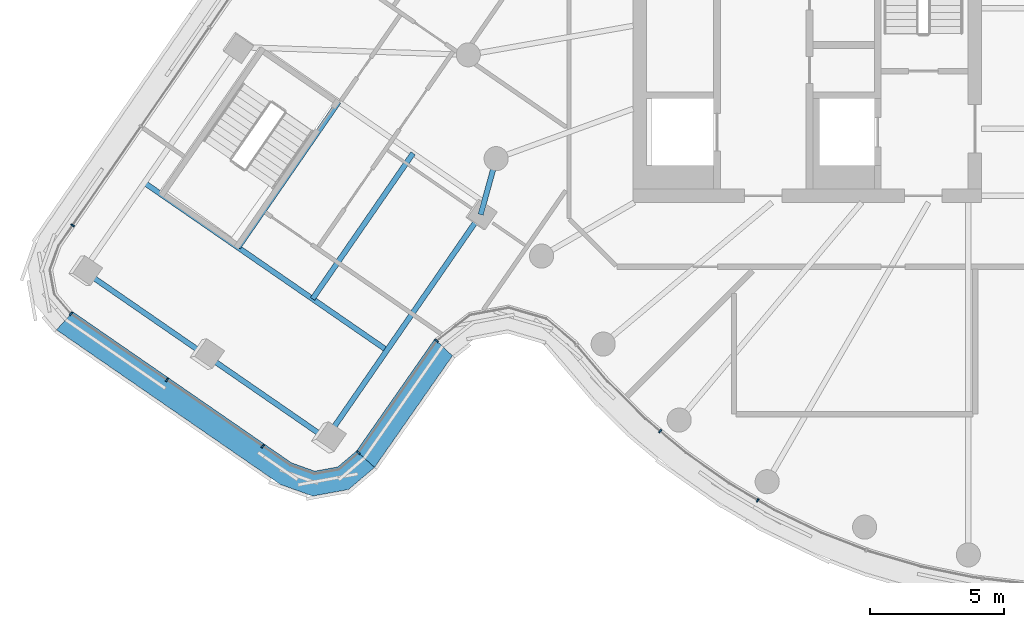
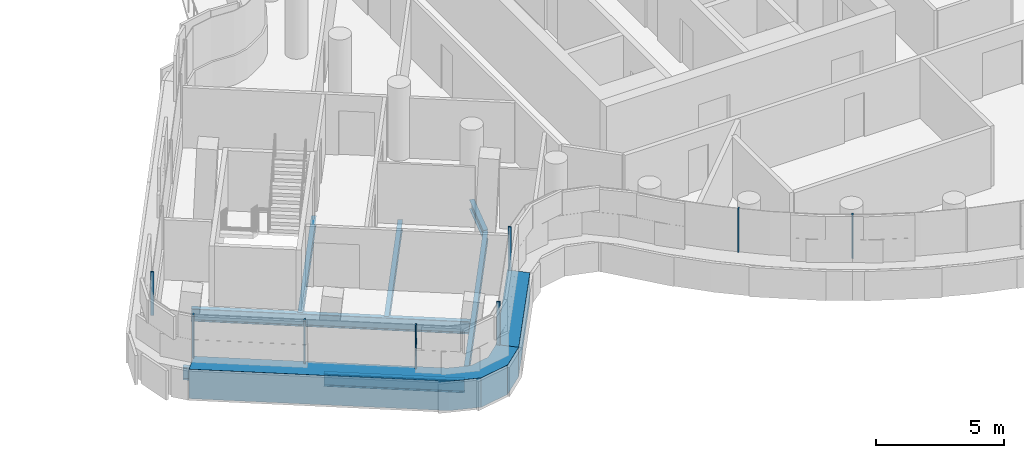
# One storey, part 2 of 26: 10 members, 7 beams, 4 elements without a shape of their own.
"""IFC4 building model written with IfcOpenShell, lengths in metres."""

import ifcopenshell
import ifcopenshell.guid

model = None  # the IFC model being written
_history = None  # IfcOwnerHistory: only IFC2X3 demands one
_inside = {}  # id of a spatial element -> (the spatial element, [elements in it])
_under = {}  # id of a project, library or spatial element -> (it, [spatial elements below it])
_declared = {}  # id of a project -> (the project, [libraries it declares])
_typed = {}  # id of a type object -> (the type object, [elements of that type])
_made_of = {}  # id of a material, layer set ... -> (it, [elements and type objects made of it])


def new_model(schema):
    """Start an empty IFC model of exactly this schema.

    Asked for "IFC4X3", IfcOpenShell would pick the latest addendum, in which some entities
    have other attributes; the version numbers below select the first issue.
    IFC2X3 requires an IfcOwnerHistory on every rooted entity: one is made here for all.
    """
    global model, _history
    if schema == "IFC4X3":
        model = ifcopenshell.file(schema_version=(4, 3, 0, 0))
    else:
        model = ifcopenshell.file(schema=schema)
    _inside.clear()
    _under.clear()
    _declared.clear()
    _typed.clear()
    _made_of.clear()
    _history = None
    if model.schema == "IFC2X3":
        org = make("IfcOrganization", Name="unknown")
        user = make(
            "IfcPersonAndOrganization",
            ThePerson=make("IfcPerson", FamilyName="unknown"),
            TheOrganization=org,
        )
        app = make(
            "IfcApplication",
            ApplicationDeveloper=org,
            Version="unknown",
            ApplicationFullName="unknown",
            ApplicationIdentifier="unknown",
        )
        _history = make(
            "IfcOwnerHistory",
            OwningUser=user,
            OwningApplication=app,
            ChangeAction="ADDED",
            CreationDate=0,
        )
    return model


def make(cls, **values):
    """One entity of the class cls with the attributes given. An attribute that is None is left unset."""
    return model.create_entity(
        cls, **{name: value for name, value in values.items() if value is not None}
    )


def rooted(cls, **values):
    """An entity with a GlobalId (a new one), such as an element, a storey or a relation."""
    return make(cls, GlobalId=ifcopenshell.guid.new(), OwnerHistory=_history, **values)


def si_unit(unit_type, name, prefix=None):
    """IfcSIUnit, for example si_unit("LENGTHUNIT", "METRE", prefix="MILLI")."""
    return make("IfcSIUnit", UnitType=unit_type, Prefix=prefix, Name=name)


def assignment(units):
    """IfcUnitAssignment: the units of a project."""
    return None if units is None else make("IfcUnitAssignment", Units=units)


def point(xyz):
    """IfcCartesianPoint."""
    return None if xyz is None else make("IfcCartesianPoint", Coordinates=xyz)


def direction(xyz):
    """IfcDirection."""
    return None if xyz is None else make("IfcDirection", DirectionRatios=xyz)


def frame(location, z_axis=None, x_axis=None):
    """IfcAxis2Placement3D, a coordinate frame: its origin and axes. An axis left out is left unset."""
    return make(
        "IfcAxis2Placement3D",
        Location=point(location),
        Axis=direction(z_axis),
        RefDirection=direction(x_axis),
    )


def frame_2d(location, x_axis=None):
    """IfcAxis2Placement2D, a coordinate frame in the plane: its origin and x axis."""
    return make(
        "IfcAxis2Placement2D", Location=point(location), RefDirection=direction(x_axis)
    )


def origin():
    """The frame at (0, 0, 0) with its axes left unset."""
    return frame((0.0, 0.0, 0.0))


def origin_2d():
    """The frame at (0, 0) in the plane with its x axis left unset."""
    return frame_2d((0.0, 0.0))


def place(relative_to, where):
    """IfcLocalPlacement: puts the frame where relative to a parent placement (None: the world)."""
    return make(
        "IfcLocalPlacement", PlacementRelTo=relative_to, RelativePlacement=where
    )


def context(
    kind, dimensions, precision=None, world=None, true_north=None, identifier=None
):
    """IfcGeometricRepresentationContext, for example the 3D "Model" context."""
    return make(
        "IfcGeometricRepresentationContext",
        ContextIdentifier=identifier,
        ContextType=kind,
        CoordinateSpaceDimension=dimensions,
        Precision=precision,
        WorldCoordinateSystem=world,
        TrueNorth=true_north,
    )


def subcontext(parent, identifier, kind, view, scale=None):
    """IfcGeometricRepresentationSubContext, for example "Body" below "Model"."""
    return make(
        "IfcGeometricRepresentationSubContext",
        ContextIdentifier=identifier,
        ContextType=kind,
        ParentContext=parent,
        TargetScale=scale,
        TargetView=view,
    )


def project(units=None, contexts=None):
    """IfcProject with its units and contexts."""
    return rooted(
        "IfcProject",
        Name="project",
        RepresentationContexts=contexts,
        UnitsInContext=assignment(units),
    )


def spatial(cls, under=None, at=None, **own):
    """A site, building, storey or space (cls), placed at a placement, below another one or the project."""
    s = rooted(cls, ObjectPlacement=at, **own)
    if under is not None:
        _under.setdefault(under.id(), (under, []))[1].append(s)
    return s


def polyline(points):
    """IfcPolyline through the points."""
    return make("IfcPolyline", Points=[point(p) for p in points])


def profile(cls, at=None, kind="AREA", **sizes):
    """A parametric profile (cls). Its sizes go by their IFC names, for example OverallWidth=200.0."""
    return make(cls, ProfileType=kind, Position=at, **sizes)


def rectangle(**sizes):
    """IfcRectangleProfileDef."""
    return profile("IfcRectangleProfileDef", **sizes)


def i_section(**sizes):
    """IfcIShapeProfileDef."""
    return profile("IfcIShapeProfileDef", **sizes)


def outline(outer, holes=None, kind="AREA"):
    """IfcArbitraryClosedProfileDef: a profile drawn as a closed curve; with holes, ...WithVoids."""
    if holes is None:
        return make("IfcArbitraryClosedProfileDef", ProfileType=kind, OuterCurve=outer)
    return make(
        "IfcArbitraryProfileDefWithVoids",
        ProfileType=kind,
        OuterCurve=outer,
        InnerCurves=holes,
    )


def extrude(swept, where, along, depth):
    """IfcExtrudedAreaSolid: the profile swept, set in the frame where, extruded along a direction by depth."""
    return make(
        "IfcExtrudedAreaSolid",
        SweptArea=swept,
        Position=where,
        ExtrudedDirection=direction(along),
        Depth=depth,
    )


def shape(context_of_items, identifier, shape_type, items):
    """IfcShapeRepresentation: the items that make up one representation, for example the "Body"."""
    return make(
        "IfcShapeRepresentation",
        ContextOfItems=context_of_items,
        RepresentationIdentifier=identifier,
        RepresentationType=shape_type,
        Items=items,
    )


def material(Name=None, Category=None):
    """IfcMaterial."""
    return make("IfcMaterial", Name=Name, Category=Category)


def layer(
    of_material, thickness, ventilated=None, Name=None, Category=None, Priority=None
):
    """IfcMaterialLayer: one layer of a wall or slab, of a material (None: an air gap)."""
    return make(
        "IfcMaterialLayer",
        Material=of_material,
        LayerThickness=thickness,
        IsVentilated=ventilated,
        Name=Name,
        Category=Category,
        Priority=Priority,
    )


def layer_set(layers, Name=None):
    """IfcMaterialLayerSet."""
    return make("IfcMaterialLayerSet", MaterialLayers=layers, LayerSetName=Name)


def material_profile(
    of_material, cross_section, Name=None, Category=None, Priority=None
):
    """IfcMaterialProfile: a cross section and its material."""
    return make(
        "IfcMaterialProfile",
        Name=Name,
        Material=of_material,
        Profile=cross_section,
        Priority=Priority,
        Category=Category,
    )


def profile_set(profiles, Name=None, composite=None):
    """IfcMaterialProfileSet."""
    return make(
        "IfcMaterialProfileSet",
        Name=Name,
        MaterialProfiles=profiles,
        CompositeProfile=composite,
    )


def made_of(thing, what):
    """Note that an element or type object is made of a material, layer set ...; save() writes the relation."""
    if what is not None:
        _made_of.setdefault(what.id(), (what, []))[1].append(thing)
    return thing


def type_object(cls, material=None, **own):
    """A type object (cls), such as IfcWallType, which elements share."""
    return made_of(rooted(cls, **own), material)


def element(
    cls,
    number,
    at=None,
    inside=None,
    cuts=None,
    type_object=None,
    material=None,
    context=None,
    identifier="Body",
    shape_type=None,
    held_by="IfcProductDefinitionShape",
    body=None,
    shapes=None,
    **own,
):
    """One element of the class cls, such as IfcWall. Its Tag is "e" and its number.

    at: its placement. inside: the storey or other place that contains it. cuts: it is an
    opening in that element (IfcRelVoidsElement). A single representation is given by context,
    identifier, shape_type and body (its items); several are given by shapes. held_by: the class
    of the entity that holds the representations. save() writes the other relations.
    """
    e = rooted(cls, Tag="e%d" % number, ObjectPlacement=at, **own)
    if body is not None:
        shapes = [shape(context, identifier, shape_type, body)]
    if shapes is not None:
        e.Representation = make(held_by, Representations=shapes)
    if inside is not None:
        _inside.setdefault(inside.id(), (inside, []))[1].append(e)
    if cuts is not None:
        rooted(
            "IfcRelVoidsElement", RelatingBuildingElement=cuts, RelatedOpeningElement=e
        )
    if type_object is not None:
        _typed.setdefault(type_object.id(), (type_object, []))[1].append(e)
    return made_of(e, material)


def aggregate(whole, parts):
    """IfcRelAggregates: a whole, such as a stair, and the parts it consists of."""
    return rooted("IfcRelAggregates", RelatingObject=whole, RelatedObjects=parts)


def save(model, path):
    """Write the relations noted so far, then the file.

    IfcRelAggregates (storeys below a building ...), IfcRelContainedInSpatialStructure (elements
    in a storey), IfcRelDefinesByType, IfcRelAssociatesMaterial and IfcRelDeclares: one each for
    every whole, place, type object, material and project.
    """
    for whole, parts in _under.values():
        aggregate(whole, parts)
    for where, things in _inside.values():
        rooted(
            "IfcRelContainedInSpatialStructure",
            RelatedElements=things,
            RelatingStructure=where,
        )
    for kind, things in _typed.values():
        rooted("IfcRelDefinesByType", RelatedObjects=things, RelatingType=kind)
    for what, things in _made_of.values():
        rooted("IfcRelAssociatesMaterial", RelatedObjects=things, RelatingMaterial=what)
    for by, libraries in _declared.values():
        rooted("IfcRelDeclares", RelatingContext=by, RelatedDefinitions=libraries)
    model.write(path)


model = new_model("IFC4")

# Units and contexts
model_context = context("Model", 3, precision=1e-05, world=origin(), true_north=direction((0.0, 1.0)))
body_context = subcontext(model_context, "Body", "Model", "MODEL_VIEW")
ifc_project = project(units=[si_unit("LENGTHUNIT", "METRE"), si_unit("AREAUNIT", "SQUARE_METRE"), si_unit("VOLUMEUNIT", "CUBIC_METRE"), si_unit("PLANEANGLEUNIT", "RADIAN"), si_unit("MASSUNIT", "GRAM", prefix="KILO")], contexts=[model_context])

# Site, building, storey
site_placement = place(None, origin())
site = spatial("IfcSite", under=ifc_project, at=site_placement, CompositionType="ELEMENT")
building_placement = place(site_placement, origin())
building = spatial("IfcBuilding", under=site, at=building_placement, Name="Tamarind Cross Interchange Tower", CompositionType="ELEMENT")
storey_placement = place(building_placement, frame((0.0, 0.0, 234.300048828125)))
storey = spatial("IfcBuildingStorey", under=building, at=storey_placement, Name="L59", CompositionType="ELEMENT", Elevation=234.300048828125)

# Beams
ifc_material_1 = material(Name="Steel Q355B", Category="steel")
ifc_material_profile_1 = material_profile(ifc_material_1, i_section(OverallWidth=0.198974609375, OverallDepth=0.446044921875, WebThickness=0.008056640625, FlangeThickness=0.011962890625, FilletRadius=0.012939453125, at=origin_2d()), Name="HN 446x199x8x12")
ifc_profile_set_1 = profile_set([ifc_material_profile_1], Name="Steel Q355B")
beam_type_1 = type_object("IfcBeamType", Name="Composite beam HN 446x199x8x12 Q355B", PredefinedType="BEAM", material=ifc_profile_set_1)
beam_1_placement = place(storey_placement, frame((-27.9541015625, -18.302001953125, -0.363037109375), z_axis=(0.568228357268, 0.82287090968, 0.0), x_axis=(-0.82287090968, 0.568228357268, 0.0)))
element("IfcBeam", 1, at=beam_1_placement, inside=storey, type_object=beam_type_1, Name="Beam W-edgeep2", PredefinedType="BEAM", context=body_context, shape_type="SweptSolid", body=[
    extrude(i_section(OverallWidth=0.198974609375, OverallDepth=0.446044921875, WebThickness=0.008056640625, FlangeThickness=0.011962890625, FilletRadius=0.012939453125, at=origin_2d()), origin(), (0.0, 0.0, 1.0), 10.1435546875),
])
beam_2_placement = place(storey_placement, frame((-22.190185546875, -9.955078125, -0.363037109375), z_axis=(0.266347775283, 0.963876995577, 0.0), x_axis=(-0.963876995577, 0.266347775283, 0.0)))
element("IfcBeam", 2, at=beam_2_placement, inside=storey, type_object=beam_type_1, Name="Beam W-linkep", PredefinedType="BEAM", context=body_context, shape_type="SweptSolid", body=[
    extrude(i_section(OverallWidth=0.198974609375, OverallDepth=0.446044921875, WebThickness=0.008056640625, FlangeThickness=0.011962890625, FilletRadius=0.012939453125, at=origin_2d()), origin(), (0.0, 0.0, 1.0), 2.1669921875),
])
for number, where, z_axis, x_axis, name in (
    (3, (-27.489013671875, -5.749267578125, -0.363037109375), (-0.568207415833, -0.822885370263, 0.0), (0.822885370263, -0.568207415833, 0.0), "Beam W-tr1"),
    (4, (-24.7119140625, -7.6669921875, -0.363037109375), (-0.568182367444, -0.822902665766, 0.0), (0.822902665766, -0.568182367444, 0.0), "Beam W-stripp"),
):
    element("IfcBeam", number, at=place(storey_placement, frame(where, z_axis=z_axis, x_axis=x_axis)), inside=storey, type_object=beam_type_1, Name=name, PredefinedType="BEAM", context=body_context, shape_type="SweptSolid", body=[
        extrude(i_section(OverallWidth=0.198974609375, OverallDepth=0.446044921875, WebThickness=0.008056640625, FlangeThickness=0.011962890625, FilletRadius=0.012939453125, at=origin_2d()), origin(), (0.0, 0.0, 1.0), 6.60009765625),
    ])
ifc_material_profile_2 = material_profile(ifc_material_1, i_section(OverallWidth=0.198974609375, OverallDepth=0.595947265625, WebThickness=0.010009765625, FlangeThickness=0.014892578125, FilletRadius=0.012939453125, at=origin_2d()), Name="HN 596x199x10x15")
ifc_profile_set_2 = profile_set([ifc_material_profile_2], Name="Steel Q355B")
beam_type_2 = type_object("IfcBeamType", Name="Composite beam HN 596x199x10x15 Q355B", PredefinedType="BEAM", material=ifc_profile_set_2)
beam_3_placement = place(storey_placement, frame((-37.005615234375, -12.0517578125, -0.43798828125), z_axis=(0.822877133941, -0.568219343596, 0.0), x_axis=(0.568219343596, 0.822877133941, 0.0)))
element("IfcBeam", 5, at=beam_3_placement, inside=storey, type_object=beam_type_2, Name="Beam W-tip0", PredefinedType="BEAM", context=body_context, shape_type="SweptSolid", body=[
    extrude(i_section(OverallWidth=0.198974609375, OverallDepth=0.595947265625, WebThickness=0.010009765625, FlangeThickness=0.014892578125, FilletRadius=0.012939453125, at=origin_2d()), origin(), (0.0, 0.0, 1.0), 5.5),
])
beam_4_placement = place(storey_placement, frame((-32.479736328125, -15.177001953125, -0.43798828125), z_axis=(0.822883557391, -0.568210041248, 0.0), x_axis=(0.568210041248, 0.822883557391, 0.0)))
element("IfcBeam", 6, at=beam_4_placement, inside=storey, type_object=beam_type_2, Name="Beam W-tip1", PredefinedType="BEAM", context=body_context, shape_type="SweptSolid", body=[
    extrude(i_section(OverallWidth=0.198974609375, OverallDepth=0.595947265625, WebThickness=0.010009765625, FlangeThickness=0.014892578125, FilletRadius=0.012939453125, at=origin_2d()), origin(), (0.0, 0.0, 1.0), 5.499755859375),
])
beam_5_placement = place(storey_placement, frame((-34.736572265625, -8.765380859375, -0.43798828125), z_axis=(0.822877133941, -0.568219343596, 0.0), x_axis=(0.568219343596, 0.822877133941, 0.0)))
element("IfcBeam", 7, at=beam_5_placement, inside=storey, type_object=beam_type_2, Name="Beam W-x364", PredefinedType="BEAM", context=body_context, shape_type="SweptSolid", body=[
    extrude(i_section(OverallWidth=0.198974609375, OverallDepth=0.595947265625, WebThickness=0.010009765625, FlangeThickness=0.014892578125, FilletRadius=0.012939453125, at=origin_2d()), origin(), (0.0, 0.0, 1.0), 11.000244140625),
])

# Curtain wall, member
ifc_material_2 = material(Name="Aluminium 6063-T6", Category="aluminium")
ifc_layer = layer(ifc_material_2, 0.139892578125)
ifc_layer_set = layer_set([ifc_layer], Name="Aluminium 6063-T6")
curtain_wall_type = type_object("IfcCurtainWallType", Name="Hotel curtain wall, 4.5 m bays", PredefinedType="NOTDEFINED", material=ifc_layer_set)
curtain_wall_1_placement = place(storey_placement, origin())
curtain_wall_1 = element("IfcCurtainWall", 8, at=curtain_wall_1_placement, inside=storey, type_object=curtain_wall_type, Name="CWS-L59-00", PredefinedType="NOTDEFINED")
ifc_material_3 = material(Name="Aluminium and insulated spandrel panel", Category="aluminium")
member_type_1 = type_object("IfcMemberType", Name="Floor-edge blade transom", PredefinedType="USERDEFINED", material=ifc_material_3)
member_1_placement = place(storey_placement, origin())
member_1 = element("IfcMember", 9, at=member_1_placement, type_object=member_type_1, Name="CWT-L59-00", ObjectType="TRANSOM", PredefinedType="USERDEFINED", context=body_context, shape_type="SweptSolid", body=[
    extrude(outline(polyline([(-37.405517578125, -13.580322265625), (-29.24169921875, -19.217529296875), (-28.37939453125, -19.52490234375), (-27.519287109375, -19.367431640625), (-26.8212890625, -18.77392578125), (-26.14990234375, -19.384521484375), (-27.1201171875, -20.209228515625), (-28.45458984375, -20.45361328125), (-29.655517578125, -20.025390625), (-38.014404296875, -14.25341796875), (-37.405517578125, -13.580322265625)])), origin(), (0.0, 0.0, 1.0), 1.39990234375),
])

curtain_wall_2_placement = place(storey_placement, origin())
curtain_wall_2 = element("IfcCurtainWall", 10, at=curtain_wall_2_placement, inside=storey, type_object=curtain_wall_type, Name="CWS-L59-01", PredefinedType="NOTDEFINED")
member_2_placement = place(storey_placement, origin())
member_2 = element("IfcMember", 11, at=member_2_placement, type_object=member_type_1, Name="CWT-L59-01", ObjectType="TRANSOM", PredefinedType="USERDEFINED", context=body_context, shape_type="SweptSolid", body=[
    extrude(outline(polyline([(-26.8212890625, -18.77392578125), (-23.90234375, -14.5947265625), (-23.24267578125, -15.221923828125), (-26.14990234375, -19.384521484375), (-26.8212890625, -18.77392578125)])), origin(), (0.0, 0.0, 1.0), 1.39990234375),
])

# Member
ifc_material_profile_3 = material_profile(ifc_material_2, rectangle(XDim=0.06005859375, YDim=0.139892578125, at=origin_2d()), Name="Mullion CW2")
ifc_profile_set_3 = profile_set([ifc_material_profile_3], Name="Aluminium 6063-T6")
member_type_2 = type_object("IfcMemberType", Name="Mullion CW2", PredefinedType="MULLION", material=ifc_profile_set_3)
member_3_placement = place(storey_placement, frame((-37.47314453125, -13.655029296875, 1.39990234375), z_axis=(0.0, 0.0, 1.0), x_axis=(0.741676217435, -0.670758070015, 0.0)))
member_3 = element("IfcMember", 12, at=member_3_placement, type_object=member_type_2, Name="CWM-L59-00-00", PredefinedType="MULLION", context=body_context, shape_type="SweptSolid", body=[
    extrude(rectangle(XDim=0.06005859375, YDim=0.139892578125, at=origin_2d()), origin(), (0.0, 0.0, 1.0), 2.06005859375),
])

member_4_placement = place(storey_placement, frame((-33.897216796875, -16.124267578125, 1.39990234375), z_axis=(0.0, 0.0, 1.0), x_axis=(0.822882571359, -0.56821146922, 0.0)))
member_4 = element("IfcMember", 13, at=member_4_placement, type_object=member_type_2, Name="CWM-L59-00-01", PredefinedType="MULLION", context=body_context, shape_type="SweptSolid", body=[
    extrude(rectangle(XDim=0.06005859375, YDim=0.139892578125, at=origin_2d()), origin(), (0.0, 0.0, 1.0), 2.06005859375),
])

member_5_placement = place(storey_placement, frame((-30.3212890625, -18.593505859375, 1.39990234375), z_axis=(0.0, 0.0, 1.0), x_axis=(0.822882571359, -0.56821146922, 0.0)))
member_5 = element("IfcMember", 14, at=member_5_placement, type_object=member_type_2, Name="CWM-L59-00-02", PredefinedType="MULLION", context=body_context, shape_type="SweptSolid", body=[
    extrude(rectangle(XDim=0.06005859375, YDim=0.139892578125, at=origin_2d()), origin(), (0.0, 0.0, 1.0), 2.06005859375),
])

aggregate(curtain_wall_1, [member_3, member_4, member_5, member_1])

member_6_placement = place(storey_placement, frame((-26.74658203125, -18.841796875, 1.39990234375), z_axis=(0.0, 0.0, 1.0), x_axis=(0.672742229309, 0.739876944434, 0.0)))
member_6 = element("IfcMember", 15, at=member_6_placement, type_object=member_type_2, Name="CWM-L59-01-00", PredefinedType="MULLION", context=body_context, shape_type="SweptSolid", body=[
    extrude(rectangle(XDim=0.06005859375, YDim=0.139892578125, at=origin_2d()), origin(), (0.0, 0.0, 1.0), 2.06005859375),
])

aggregate(curtain_wall_2, [member_6, member_2])

# Curtain wall, members
curtain_wall_3_placement = place(storey_placement, origin())
curtain_wall_3 = element("IfcCurtainWall", 16, at=curtain_wall_3_placement, inside=storey, type_object=curtain_wall_type, Name="CWS-L59-02", PredefinedType="NOTDEFINED")
member_7_placement = place(storey_placement, frame((-23.8291015625, -14.66455078125, 1.39990234375), z_axis=(0.0, 0.0, 1.0), x_axis=(0.68891739078, 0.724839864164, 0.0)))
member_7 = element("IfcMember", 17, at=member_7_placement, type_object=member_type_2, Name="CWM-L59-02-00", PredefinedType="MULLION", context=body_context, shape_type="SweptSolid", body=[
    extrude(rectangle(XDim=0.06005859375, YDim=0.139892578125, at=origin_2d()), origin(), (0.0, 0.0, 1.0), 2.06005859375),
])
member_8_placement = place(storey_placement, frame((-15.494384765625, -18.03515625, 1.39990234375), z_axis=(0.0, 0.0, 1.0), x_axis=(0.765858396687, -0.643009266048, 0.0)))
member_8 = element("IfcMember", 18, at=member_8_placement, type_object=member_type_2, Name="CWM-L59-02-02", PredefinedType="MULLION", context=body_context, shape_type="SweptSolid", body=[
    extrude(rectangle(XDim=0.06005859375, YDim=0.139892578125, at=origin_2d()), origin(), (0.0, 0.0, 1.0), 2.06005859375),
])
member_9_placement = place(storey_placement, frame((-11.854736328125, -20.61083984375, 1.39990234375), z_axis=(0.0, 0.0, 1.0), x_axis=(0.861248933065, -0.508183308752, 0.0)))
member_9 = element("IfcMember", 19, at=member_9_placement, type_object=member_type_2, Name="CWM-L59-02-03", PredefinedType="MULLION", context=body_context, shape_type="SweptSolid", body=[
    extrude(rectangle(XDim=0.06005859375, YDim=0.139892578125, at=origin_2d()), origin(), (0.0, 0.0, 1.0), 2.06005859375),
])
aggregate(curtain_wall_3, [member_7, member_8, member_9])

# Curtain wall, member
curtain_wall_4_placement = place(storey_placement, origin())
curtain_wall_4 = element("IfcCurtainWall", 20, at=curtain_wall_4_placement, inside=storey, type_object=curtain_wall_type, Name="CWS-L59-07", PredefinedType="NOTDEFINED")
member_10_placement = place(storey_placement, frame((-37.412353515625, -10.352783203125, 1.39990234375), z_axis=(0.0, 0.0, 1.0), x_axis=(-0.56821146922, -0.822882571359, 0.0)))
member_10 = element("IfcMember", 21, at=member_10_placement, type_object=member_type_2, Name="CWM-L59-07-04", PredefinedType="MULLION", context=body_context, shape_type="SweptSolid", body=[
    extrude(rectangle(XDim=0.06005859375, YDim=0.139892578125, at=origin_2d()), origin(), (0.0, 0.0, 1.0), 2.06005859375),
])
aggregate(curtain_wall_4, [member_10])

save(model, "model.ifc")
